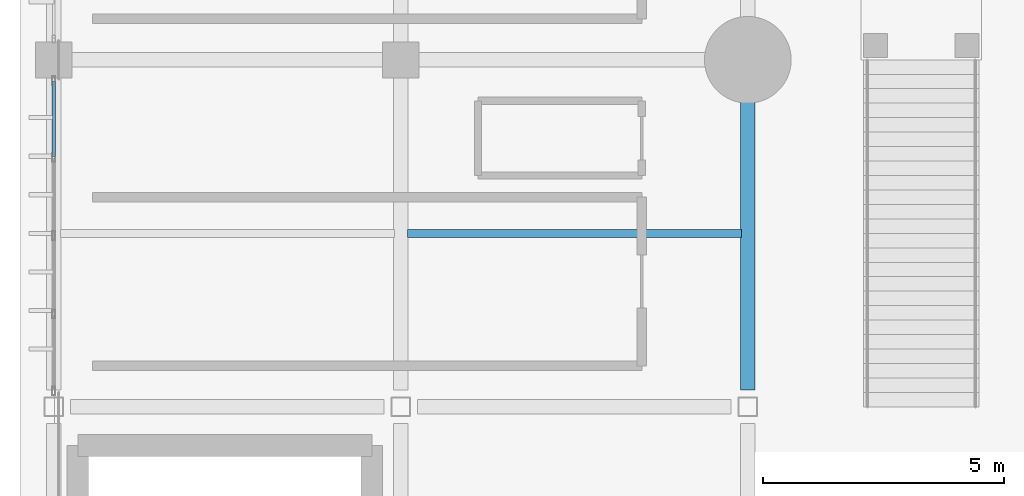
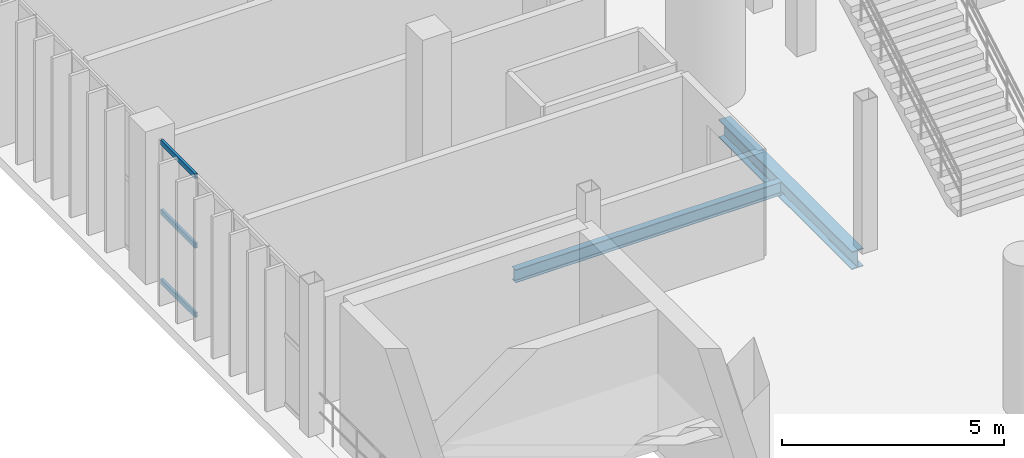
# One storey, part 31 of 130: 3 members, 2 beams, 1 element without a shape of its own.
"""IFC4 building model written with IfcOpenShell, lengths in metres."""

from ifc_helpers import new_model, si_unit, direction, frame, origin, origin_2d, place, context, subcontext, project, spatial, hollow_rectangle, i_section, extrude, material, material_profile, profile_set, type_object, element, aggregate, save


model = new_model("IFC4")

# Units and contexts
model_context = context("Model", 3, precision=1e-05, world=origin(), true_north=direction((0.0, 1.0)))
body_context = subcontext(model_context, "Body", "Model", "MODEL_VIEW")
ifc_project = project(units=[si_unit("LENGTHUNIT", "METRE"), si_unit("AREAUNIT", "SQUARE_METRE"), si_unit("VOLUMEUNIT", "CUBIC_METRE"), si_unit("PLANEANGLEUNIT", "RADIAN"), si_unit("MASSUNIT", "GRAM", prefix="KILO")], contexts=[model_context])

# Site, building, storey
site_placement = place(None, origin())
site = spatial("IfcSite", under=ifc_project, at=site_placement, CompositionType="ELEMENT")
building_placement = place(site_placement, origin())
building = spatial("IfcBuilding", under=site, at=building_placement, Name="Qandorah Velis Arena", CompositionType="ELEMENT")
storey_placement = place(building_placement, frame((0.0, 0.0, 9.60009765625)))
storey = spatial("IfcBuildingStorey", under=building, at=storey_placement, Name="L02", CompositionType="ELEMENT", Elevation=9.60009765625)

# Curtain wall, members
ifc_material_1 = material(Name="Solar-control low-E double glazing", Category="glass")
curtain_wall_type = type_object("IfcCurtainWallType", Name="ARC-CW-SYS14", PredefinedType="USERDEFINED", material=ifc_material_1)
curtain_wall_placement = place(storey_placement, origin())
curtain_wall = element("IfcCurtainWall", 1, at=curtain_wall_placement, inside=storey, type_object=curtain_wall_type, Name="Unitised curtain wall L02-014", ObjectType="UNITISED CURTAIN WALL", PredefinedType="USERDEFINED")
ifc_material_2 = material(Name="Champagne-bronze anodized aluminium 6063-T6", Category="aluminium")
ifc_material_profile_1 = material_profile(ifc_material_2, hollow_rectangle(XDim=0.06494140625, YDim=0.139892578125, WallThickness=0.0029296875, at=origin_2d()), Name="ALU TRANSOM 65x140")
ifc_profile_set_1 = profile_set([ifc_material_profile_1], Name="Champagne-bronze anodized aluminium 6063-T6")
member_type = type_object("IfcMemberType", Name="ARC-CWT-140", PredefinedType="USERDEFINED", material=ifc_profile_set_1)
member_1_placement = place(storey_placement, frame((0.0, 55.595458984375, 0.032470703125), z_axis=(0.0, 1.0, 0.0), x_axis=(-1.0, 0.0, 0.0)))
member_1 = element("IfcMember", 2, at=member_1_placement, type_object=member_type, Name="CW14 transom 4.1", ObjectType="TRANSOM", PredefinedType="USERDEFINED", context=body_context, shape_type="SweptSolid", body=[
    extrude(hollow_rectangle(XDim=0.06494140625, YDim=0.139892578125, WallThickness=0.0029296875, at=origin_2d()), origin(), (0.0, 0.0, 1.0), 1.551513671875),
])
member_2_placement = place(storey_placement, frame((0.0, 55.595458984375, 1.93994140625), z_axis=(0.0, 1.0, 0.0), x_axis=(-1.0, 0.0, 0.0)))
member_2 = element("IfcMember", 3, at=member_2_placement, type_object=member_type, Name="CW14 transom 4.2", ObjectType="TRANSOM", PredefinedType="USERDEFINED", context=body_context, shape_type="SweptSolid", body=[
    extrude(hollow_rectangle(XDim=0.06494140625, YDim=0.139892578125, WallThickness=0.0029296875, at=origin_2d()), origin(), (0.0, 0.0, 1.0), 1.551513671875),
])
member_3_placement = place(storey_placement, frame((0.0, 55.595458984375, 3.847412109375), z_axis=(0.0, 1.0, 0.0), x_axis=(-1.0, 0.0, 0.0)))
member_3 = element("IfcMember", 4, at=member_3_placement, type_object=member_type, Name="CW14 transom 4.3", ObjectType="TRANSOM", PredefinedType="USERDEFINED", context=body_context, shape_type="SweptSolid", body=[
    extrude(hollow_rectangle(XDim=0.06494140625, YDim=0.139892578125, WallThickness=0.0029296875, at=origin_2d()), origin(), (0.0, 0.0, 1.0), 1.551513671875),
])
aggregate(curtain_wall, [member_1, member_2, member_3])

# Beams
ifc_material_3 = material(Name="Steel S355", Category="steel")
ifc_material_profile_2 = material_profile(ifc_material_3, i_section(OverallWidth=0.300048828125, OverallDepth=0.5, WebThickness=0.014404296875, FlangeThickness=0.028076171875, FilletRadius=0.027099609375, at=origin_2d()), Name="HEB 500")
ifc_profile_set_2 = profile_set([ifc_material_profile_2], Name="Steel S355")
beam_type_1 = type_object("IfcBeamType", Name="STR-BM-HEB500", PredefinedType="BEAM", material=ifc_profile_set_2)
beam_1_placement = place(storey_placement, frame((14.39990234375, 50.75, -0.530029296875), z_axis=(0.0, 1.0, 0.0), x_axis=(-1.0, 0.0, 0.0)))
element("IfcBeam", 5, at=beam_1_placement, inside=storey, type_object=beam_type_1, Name="Primary floor girder L02 Y-217", PredefinedType="BEAM", context=body_context, shape_type="SweptSolid", body=[
    extrude(i_section(OverallWidth=0.300048828125, OverallDepth=0.5, WebThickness=0.014404296875, FlangeThickness=0.028076171875, FilletRadius=0.027099609375, at=origin_2d()), origin(), (0.0, 0.0, 1.0), 6.0),
])
ifc_material_profile_3 = material_profile(ifc_material_3, i_section(OverallWidth=0.169921875, OverallDepth=0.360107421875, WebThickness=0.008056640625, FlangeThickness=0.0126953125, FilletRadius=0.01806640625, at=origin_2d()), Name="IPE 360")
ifc_profile_set_3 = profile_set([ifc_material_profile_3], Name="Steel S355")
beam_type_2 = type_object("IfcBeamType", Name="STR-JST-IPE360", PredefinedType="JOIST", material=ifc_profile_set_3)
beam_2_placement = place(storey_placement, frame((7.3349609375, 54.0, -0.460205078125), z_axis=(1.0, 0.0, 0.0), x_axis=(0.0, 1.0, 0.0)))
element("IfcBeam", 6, at=beam_2_placement, inside=storey, type_object=beam_type_2, Name="Secondary floor joist L02-016", PredefinedType="JOIST", context=body_context, shape_type="SweptSolid", body=[
    extrude(i_section(OverallWidth=0.169921875, OverallDepth=0.360107421875, WebThickness=0.008056640625, FlangeThickness=0.0126953125, FilletRadius=0.01806640625, at=origin_2d()), origin(), (0.0, 0.0, 1.0), 6.929931640625),
])

save(model, "model.ifc")
